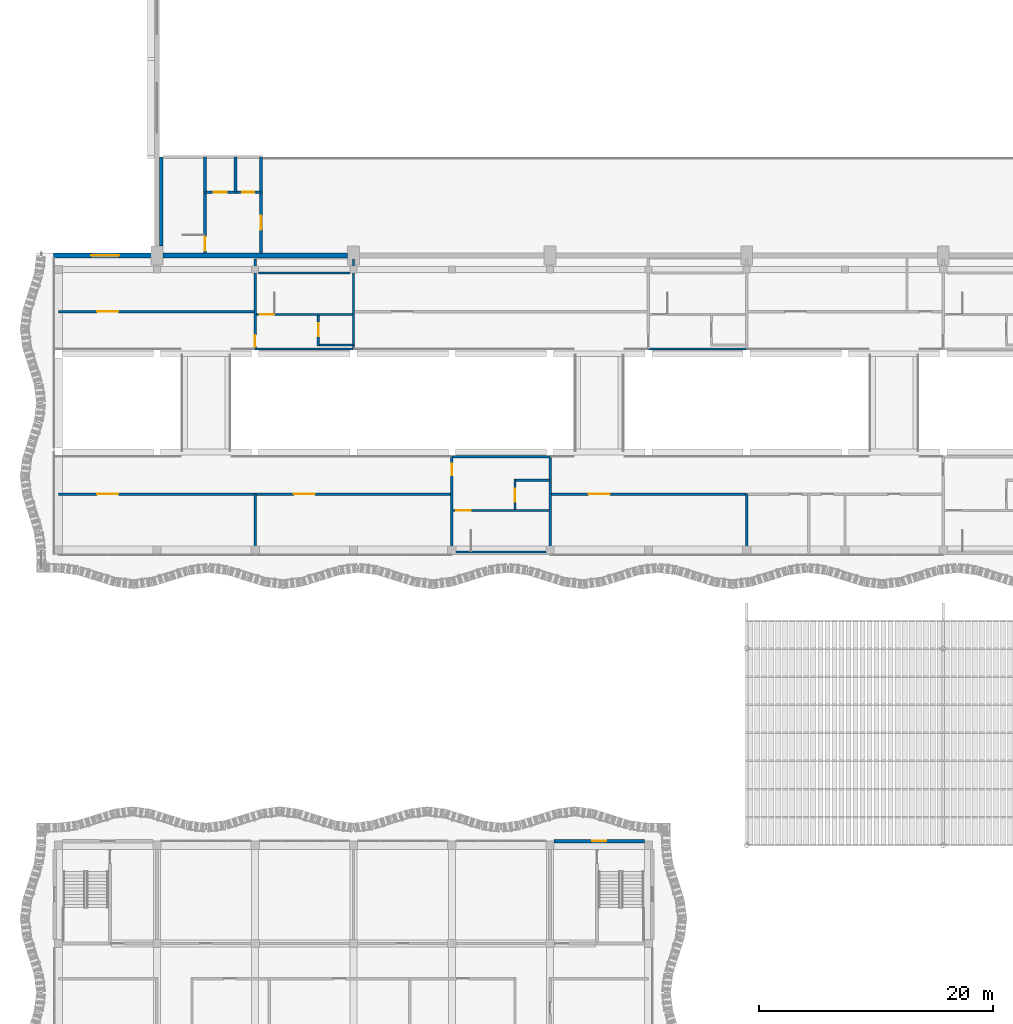
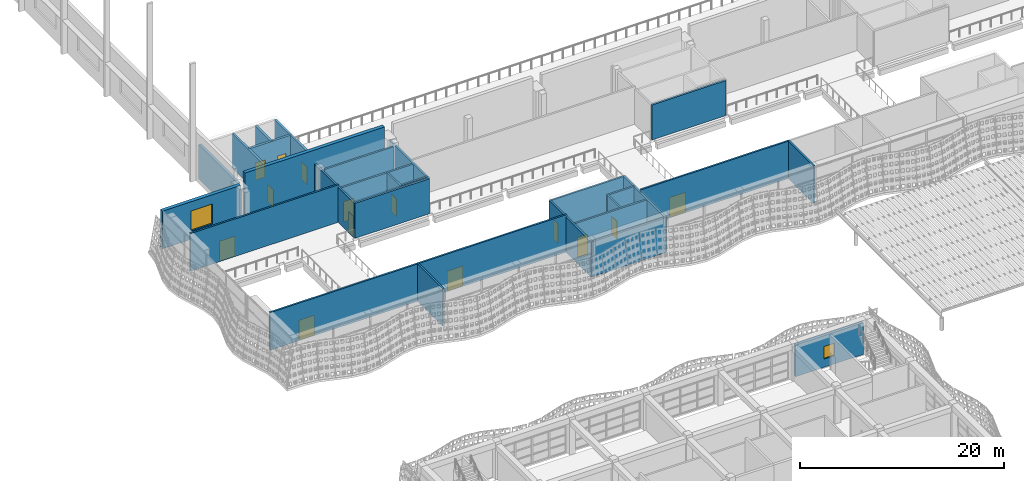
# One storey, part 81 of 162: 29 walls, 14 doors, 2 windows, 16 openings.
"""IFC4 building model written with IfcOpenShell, lengths in metres."""

import ifcopenshell
import ifcopenshell.guid

model = None  # the IFC model being written
_history = None  # IfcOwnerHistory: only IFC2X3 demands one
_inside = {}  # id of a spatial element -> (the spatial element, [elements in it])
_under = {}  # id of a project, library or spatial element -> (it, [spatial elements below it])
_declared = {}  # id of a project -> (the project, [libraries it declares])
_typed = {}  # id of a type object -> (the type object, [elements of that type])
_made_of = {}  # id of a material, layer set ... -> (it, [elements and type objects made of it])


def new_model(schema):
    """Start an empty IFC model of exactly this schema.

    Asked for "IFC4X3", IfcOpenShell would pick the latest addendum, in which some entities
    have other attributes; the version numbers below select the first issue.
    IFC2X3 requires an IfcOwnerHistory on every rooted entity: one is made here for all.
    """
    global model, _history
    if schema == "IFC4X3":
        model = ifcopenshell.file(schema_version=(4, 3, 0, 0))
    else:
        model = ifcopenshell.file(schema=schema)
    _inside.clear()
    _under.clear()
    _declared.clear()
    _typed.clear()
    _made_of.clear()
    _history = None
    if model.schema == "IFC2X3":
        org = make("IfcOrganization", Name="unknown")
        user = make(
            "IfcPersonAndOrganization",
            ThePerson=make("IfcPerson", FamilyName="unknown"),
            TheOrganization=org,
        )
        app = make(
            "IfcApplication",
            ApplicationDeveloper=org,
            Version="unknown",
            ApplicationFullName="unknown",
            ApplicationIdentifier="unknown",
        )
        _history = make(
            "IfcOwnerHistory",
            OwningUser=user,
            OwningApplication=app,
            ChangeAction="ADDED",
            CreationDate=0,
        )
    return model


def make(cls, **values):
    """One entity of the class cls with the attributes given. An attribute that is None is left unset."""
    return model.create_entity(
        cls, **{name: value for name, value in values.items() if value is not None}
    )


def rooted(cls, **values):
    """An entity with a GlobalId (a new one), such as an element, a storey or a relation."""
    return make(cls, GlobalId=ifcopenshell.guid.new(), OwnerHistory=_history, **values)


def si_unit(unit_type, name, prefix=None):
    """IfcSIUnit, for example si_unit("LENGTHUNIT", "METRE", prefix="MILLI")."""
    return make("IfcSIUnit", UnitType=unit_type, Prefix=prefix, Name=name)


def assignment(units):
    """IfcUnitAssignment: the units of a project."""
    return None if units is None else make("IfcUnitAssignment", Units=units)


def point(xyz):
    """IfcCartesianPoint."""
    return None if xyz is None else make("IfcCartesianPoint", Coordinates=xyz)


def direction(xyz):
    """IfcDirection."""
    return None if xyz is None else make("IfcDirection", DirectionRatios=xyz)


def frame(location, z_axis=None, x_axis=None):
    """IfcAxis2Placement3D, a coordinate frame: its origin and axes. An axis left out is left unset."""
    return make(
        "IfcAxis2Placement3D",
        Location=point(location),
        Axis=direction(z_axis),
        RefDirection=direction(x_axis),
    )


def frame_2d(location, x_axis=None):
    """IfcAxis2Placement2D, a coordinate frame in the plane: its origin and x axis."""
    return make(
        "IfcAxis2Placement2D", Location=point(location), RefDirection=direction(x_axis)
    )


def origin():
    """The frame at (0, 0, 0) with its axes left unset."""
    return frame((0.0, 0.0, 0.0))


def place(relative_to, where):
    """IfcLocalPlacement: puts the frame where relative to a parent placement (None: the world)."""
    return make(
        "IfcLocalPlacement", PlacementRelTo=relative_to, RelativePlacement=where
    )


def context(
    kind, dimensions, precision=None, world=None, true_north=None, identifier=None
):
    """IfcGeometricRepresentationContext, for example the 3D "Model" context."""
    return make(
        "IfcGeometricRepresentationContext",
        ContextIdentifier=identifier,
        ContextType=kind,
        CoordinateSpaceDimension=dimensions,
        Precision=precision,
        WorldCoordinateSystem=world,
        TrueNorth=true_north,
    )


def subcontext(parent, identifier, kind, view, scale=None):
    """IfcGeometricRepresentationSubContext, for example "Body" below "Model"."""
    return make(
        "IfcGeometricRepresentationSubContext",
        ContextIdentifier=identifier,
        ContextType=kind,
        ParentContext=parent,
        TargetScale=scale,
        TargetView=view,
    )


def project(units=None, contexts=None):
    """IfcProject with its units and contexts."""
    return rooted(
        "IfcProject",
        Name="project",
        RepresentationContexts=contexts,
        UnitsInContext=assignment(units),
    )


def spatial(cls, under=None, at=None, **own):
    """A site, building, storey or space (cls), placed at a placement, below another one or the project."""
    s = rooted(cls, ObjectPlacement=at, **own)
    if under is not None:
        _under.setdefault(under.id(), (under, []))[1].append(s)
    return s


def profile(cls, at=None, kind="AREA", **sizes):
    """A parametric profile (cls). Its sizes go by their IFC names, for example OverallWidth=200.0."""
    return make(cls, ProfileType=kind, Position=at, **sizes)


def rectangle(**sizes):
    """IfcRectangleProfileDef."""
    return profile("IfcRectangleProfileDef", **sizes)


def extrude(swept, where, along, depth):
    """IfcExtrudedAreaSolid: the profile swept, set in the frame where, extruded along a direction by depth."""
    return make(
        "IfcExtrudedAreaSolid",
        SweptArea=swept,
        Position=where,
        ExtrudedDirection=direction(along),
        Depth=depth,
    )


def shape(context_of_items, identifier, shape_type, items):
    """IfcShapeRepresentation: the items that make up one representation, for example the "Body"."""
    return make(
        "IfcShapeRepresentation",
        ContextOfItems=context_of_items,
        RepresentationIdentifier=identifier,
        RepresentationType=shape_type,
        Items=items,
    )


def material(Name=None, Category=None):
    """IfcMaterial."""
    return make("IfcMaterial", Name=Name, Category=Category)


def layer(
    of_material, thickness, ventilated=None, Name=None, Category=None, Priority=None
):
    """IfcMaterialLayer: one layer of a wall or slab, of a material (None: an air gap)."""
    return make(
        "IfcMaterialLayer",
        Material=of_material,
        LayerThickness=thickness,
        IsVentilated=ventilated,
        Name=Name,
        Category=Category,
        Priority=Priority,
    )


def layer_set(layers, Name=None):
    """IfcMaterialLayerSet."""
    return make("IfcMaterialLayerSet", MaterialLayers=layers, LayerSetName=Name)


def made_of(thing, what):
    """Note that an element or type object is made of a material, layer set ...; save() writes the relation."""
    if what is not None:
        _made_of.setdefault(what.id(), (what, []))[1].append(thing)
    return thing


def type_object(cls, material=None, **own):
    """A type object (cls), such as IfcWallType, which elements share."""
    return made_of(rooted(cls, **own), material)


def element(
    cls,
    number,
    at=None,
    inside=None,
    cuts=None,
    type_object=None,
    material=None,
    context=None,
    identifier="Body",
    shape_type=None,
    held_by="IfcProductDefinitionShape",
    body=None,
    shapes=None,
    **own,
):
    """One element of the class cls, such as IfcWall. Its Tag is "e" and its number.

    at: its placement. inside: the storey or other place that contains it. cuts: it is an
    opening in that element (IfcRelVoidsElement). A single representation is given by context,
    identifier, shape_type and body (its items); several are given by shapes. held_by: the class
    of the entity that holds the representations. save() writes the other relations.
    """
    e = rooted(cls, Tag="e%d" % number, ObjectPlacement=at, **own)
    if body is not None:
        shapes = [shape(context, identifier, shape_type, body)]
    if shapes is not None:
        e.Representation = make(held_by, Representations=shapes)
    if inside is not None:
        _inside.setdefault(inside.id(), (inside, []))[1].append(e)
    if cuts is not None:
        rooted(
            "IfcRelVoidsElement", RelatingBuildingElement=cuts, RelatedOpeningElement=e
        )
    if type_object is not None:
        _typed.setdefault(type_object.id(), (type_object, []))[1].append(e)
    return made_of(e, material)


def fill(opening, filler):
    """IfcRelFillsElement: the door or window that sits in an opening."""
    return rooted(
        "IfcRelFillsElement",
        RelatingOpeningElement=opening,
        RelatedBuildingElement=filler,
    )


def aggregate(whole, parts):
    """IfcRelAggregates: a whole, such as a stair, and the parts it consists of."""
    return rooted("IfcRelAggregates", RelatingObject=whole, RelatedObjects=parts)


def save(model, path):
    """Write the relations noted so far, then the file.

    IfcRelAggregates (storeys below a building ...), IfcRelContainedInSpatialStructure (elements
    in a storey), IfcRelDefinesByType, IfcRelAssociatesMaterial and IfcRelDeclares: one each for
    every whole, place, type object, material and project.
    """
    for whole, parts in _under.values():
        aggregate(whole, parts)
    for where, things in _inside.values():
        rooted(
            "IfcRelContainedInSpatialStructure",
            RelatedElements=things,
            RelatingStructure=where,
        )
    for kind, things in _typed.values():
        rooted("IfcRelDefinesByType", RelatedObjects=things, RelatingType=kind)
    for what, things in _made_of.values():
        rooted("IfcRelAssociatesMaterial", RelatedObjects=things, RelatingMaterial=what)
    for by, libraries in _declared.values():
        rooted("IfcRelDeclares", RelatingContext=by, RelatedDefinitions=libraries)
    model.write(path)


model = new_model("IFC4")

# Units and contexts
model_context = context("Model", 3, precision=1e-05, world=origin(), true_north=direction((0.0, 1.0)))
body_context = subcontext(model_context, "Body", "Model", "MODEL_VIEW")
ifc_project = project(units=[si_unit("LENGTHUNIT", "METRE"), si_unit("AREAUNIT", "SQUARE_METRE"), si_unit("VOLUMEUNIT", "CUBIC_METRE"), si_unit("PLANEANGLEUNIT", "RADIAN"), si_unit("MASSUNIT", "GRAM", prefix="KILO")], contexts=[model_context])

# Site, building, storey
site_placement = place(None, origin())
site = spatial("IfcSite", under=ifc_project, at=site_placement, CompositionType="ELEMENT")
building_placement = place(site_placement, origin())
building = spatial("IfcBuilding", under=site, at=building_placement, Name="Rain Tree Exposition and Congress Centre", CompositionType="ELEMENT")
storey_placement = place(building_placement, frame((0.0, 0.0, 6.0)))
storey = spatial("IfcBuildingStorey", under=building, at=storey_placement, Name="L01", CompositionType="ELEMENT", Elevation=6.0)

# Walls
ifc_material_1 = material(Name="Hollow blockwork partition", Category="masonry")
ifc_layer_1 = layer(ifc_material_1, 0.199951171875)
ifc_layer_set_1 = layer_set([ifc_layer_1], Name="Hollow blockwork partition")
wall_type_1 = type_object("IfcWallType", Name="Concourse blockwork partition 200", PredefinedType="PARTITIONING", material=ifc_layer_set_1)
for number, where, z_axis, x_axis, name in (
    (1, (16.800048828125, 75.39990234375, 0.0), (0.0, 0.0, 1.0), (0.0, 1.0, 0.0), "Concourse partition L01"),
    (2, (58.800048828125, 75.39990234375, 0.0), (0.0, 0.0, 1.0), (0.0, 1.0, 0.0), "Concourse partition L01"),
):
    element("IfcWall", number, at=place(storey_placement, frame(where, z_axis=z_axis, x_axis=x_axis)), inside=storey, type_object=wall_type_1, Name=name, PredefinedType="PARTITIONING", context=body_context, shape_type="SweptSolid", body=[
        extrude(rectangle(XDim=5.0, YDim=0.199951171875, at=frame_2d((2.5, 0.0))), origin(), (0.0, 0.0, 1.0), 4.5),
    ])

# Wall, opening, door
wall_1_placement = place(storey_placement, frame((0.0, 80.39990234375, 0.0), z_axis=(0.0, 0.0, 1.0), x_axis=(1.0, 0.0, 0.0)))
wall_1 = element("IfcWall", 3, at=wall_1_placement, inside=storey, type_object=wall_type_1, Name="Concourse room front L01", PredefinedType="PARTITIONING", context=body_context, shape_type="SweptSolid", body=[
    extrude(rectangle(XDim=16.800048828125, YDim=0.199951171875, at=frame_2d((8.39990234375, 0.0))), origin(), (0.0, 0.0, 1.0), 4.5),
])
opening_1_placement = place(wall_1_placement, frame((3.300048828125, 0.0, 0.0)))
opening_1 = element("IfcOpeningElement", 4, at=opening_1_placement, cuts=wall_1, Name="Opening DC044", PredefinedType="OPENING", context=body_context, shape_type="SweptSolid", body=[
    extrude(rectangle(XDim=1.800048828125, YDim=2.39990234375, at=frame_2d((0.89990234375, 1.199951171875))), frame((0.0, 0.10009765625, 0.0), z_axis=(0.0, -1.0, 0.0), x_axis=(1.0, 0.0, 0.0)), (0.0, 0.0, 1.0), 0.199951171875),
])
ifc_material_2 = material(Name="Aluminium framed glazed door", Category="aluminium")
door_type_1 = type_object("IfcDoorType", Name="Concourse double door 1800x2400", OperationType="DOUBLE_DOOR_DOUBLE_SWING", PredefinedType="DOOR", material=ifc_material_2)
door_1_placement = place(opening_1_placement, origin())
door_1 = element("IfcDoor", 5, at=door_1_placement, inside=storey, type_object=door_type_1, Name="Room door DC044", OperationType="DOUBLE_DOOR_DOUBLE_SWING", OverallHeight=2.39990234375, OverallWidth=1.800048828125, PredefinedType="DOOR", context=body_context, shape_type="SweptSolid", body=[
    extrude(rectangle(XDim=1.800048828125, YDim=2.39990234375, at=frame_2d((0.89990234375, 1.199951171875))), frame((0.0, 0.02490234375, 0.0), z_axis=(0.0, -1.0, 0.0), x_axis=(1.0, 0.0, 0.0)), (0.0, 0.0, 1.0), 0.050048828125),
])
fill(opening_1, door_1)

wall_2_placement = place(storey_placement, frame((16.800048828125, 80.39990234375, 0.0), z_axis=(0.0, 0.0, 1.0), x_axis=(1.0, 0.0, 0.0)))
wall_2 = element("IfcWall", 6, at=wall_2_placement, inside=storey, type_object=wall_type_1, Name="Concourse room front L01", PredefinedType="PARTITIONING", context=body_context, shape_type="SweptSolid", body=[
    extrude(rectangle(XDim=16.800048828125, YDim=0.199951171875, at=frame_2d((8.39990234375, 0.0))), origin(), (0.0, 0.0, 1.0), 4.5),
])
opening_2_placement = place(wall_2_placement, frame((3.300048828125, 0.0, 0.0)))
opening_2 = element("IfcOpeningElement", 7, at=opening_2_placement, cuts=wall_2, Name="Opening DC045", PredefinedType="OPENING", context=body_context, shape_type="SweptSolid", body=[
    extrude(rectangle(XDim=1.800048828125, YDim=2.39990234375, at=frame_2d((0.89990234375, 1.199951171875))), frame((0.0, 0.10009765625, 0.0), z_axis=(0.0, -1.0, 0.0), x_axis=(1.0, 0.0, 0.0)), (0.0, 0.0, 1.0), 0.199951171875),
])
door_2_placement = place(opening_2_placement, origin())
door_2 = element("IfcDoor", 8, at=door_2_placement, inside=storey, type_object=door_type_1, Name="Room door DC045", OperationType="DOUBLE_DOOR_DOUBLE_SWING", OverallHeight=2.39990234375, OverallWidth=1.800048828125, PredefinedType="DOOR", context=body_context, shape_type="SweptSolid", body=[
    extrude(rectangle(XDim=1.800048828125, YDim=2.39990234375, at=frame_2d((0.89990234375, 1.199951171875))), frame((0.0, 0.02490234375, 0.0), z_axis=(0.0, -1.0, 0.0), x_axis=(1.0, 0.0, 0.0)), (0.0, 0.0, 1.0), 0.050048828125),
])
fill(opening_2, door_2)

wall_3_placement = place(storey_placement, frame((42.0, 80.39990234375, 0.0), z_axis=(0.0, 0.0, 1.0), x_axis=(1.0, 0.0, 0.0)))
wall_3 = element("IfcWall", 9, at=wall_3_placement, inside=storey, type_object=wall_type_1, Name="Concourse room front L01", PredefinedType="PARTITIONING", context=body_context, shape_type="SweptSolid", body=[
    extrude(rectangle(XDim=16.800048828125, YDim=0.199951171875, at=frame_2d((8.39990234375, 0.0))), origin(), (0.0, 0.0, 1.0), 4.5),
])
opening_3_placement = place(wall_3_placement, frame((3.300048828125, 0.0, 0.0)))
opening_3 = element("IfcOpeningElement", 10, at=opening_3_placement, cuts=wall_3, Name="Opening DC046", PredefinedType="OPENING", context=body_context, shape_type="SweptSolid", body=[
    extrude(rectangle(XDim=1.800048828125, YDim=2.39990234375, at=frame_2d((0.89990234375, 1.199951171875))), frame((0.0, 0.10009765625, 0.0), z_axis=(0.0, -1.0, 0.0), x_axis=(1.0, 0.0, 0.0)), (0.0, 0.0, 1.0), 0.199951171875),
])
door_3_placement = place(opening_3_placement, origin())
door_3 = element("IfcDoor", 11, at=door_3_placement, inside=storey, type_object=door_type_1, Name="Room door DC046", OperationType="DOUBLE_DOOR_DOUBLE_SWING", OverallHeight=2.39990234375, OverallWidth=1.800048828125, PredefinedType="DOOR", context=body_context, shape_type="SweptSolid", body=[
    extrude(rectangle(XDim=1.800048828125, YDim=2.39990234375, at=frame_2d((0.89990234375, 1.199951171875))), frame((0.0, 0.02490234375, 0.0), z_axis=(0.0, -1.0, 0.0), x_axis=(1.0, 0.0, 0.0)), (0.0, 0.0, 1.0), 0.050048828125),
])
fill(opening_3, door_3)

wall_4_placement = place(storey_placement, frame((0.0, 96.0, 0.0), z_axis=(0.0, 0.0, 1.0), x_axis=(1.0, 0.0, 0.0)))
wall_4 = element("IfcWall", 12, at=wall_4_placement, inside=storey, type_object=wall_type_1, Name="Concourse room front L01", PredefinedType="PARTITIONING", context=body_context, shape_type="SweptSolid", body=[
    extrude(rectangle(XDim=16.800048828125, YDim=0.199951171875, at=frame_2d((8.39990234375, 0.0))), origin(), (0.0, 0.0, 1.0), 4.5),
])
opening_4_placement = place(wall_4_placement, frame((3.300048828125, 0.0, 0.0)))
opening_4 = element("IfcOpeningElement", 13, at=opening_4_placement, cuts=wall_4, Name="Opening DC081", PredefinedType="OPENING", context=body_context, shape_type="SweptSolid", body=[
    extrude(rectangle(XDim=1.800048828125, YDim=2.39990234375, at=frame_2d((0.89990234375, 1.199951171875))), frame((0.0, 0.10009765625, 0.0), z_axis=(0.0, -1.0, 0.0), x_axis=(1.0, 0.0, 0.0)), (0.0, 0.0, 1.0), 0.199951171875),
])
door_4_placement = place(opening_4_placement, origin())
door_4 = element("IfcDoor", 14, at=door_4_placement, inside=storey, type_object=door_type_1, Name="Room door DC081", OperationType="DOUBLE_DOOR_DOUBLE_SWING", OverallHeight=2.39990234375, OverallWidth=1.800048828125, PredefinedType="DOOR", context=body_context, shape_type="SweptSolid", body=[
    extrude(rectangle(XDim=1.800048828125, YDim=2.39990234375, at=frame_2d((0.89990234375, 1.199951171875))), frame((0.0, 0.02490234375, 0.0), z_axis=(0.0, -1.0, 0.0), x_axis=(1.0, 0.0, 0.0)), (0.0, 0.0, 1.0), 0.050048828125),
])
fill(opening_4, door_4)

# Wall, opening, window
ifc_material_3 = material(Name="Concrete C40/50", Category="concrete")
ifc_layer_2 = layer(ifc_material_3, 0.39990234375)
ifc_layer_set_2 = layer_set([ifc_layer_2], Name="Concrete C40/50")
wall_type_2 = type_object("IfcWallType", Name="Concourse north wall 400", PredefinedType="SOLIDWALL", material=ifc_layer_set_2)
wall_5_placement = place(storey_placement, frame((-0.449951171875, 100.800048828125, 0.0), z_axis=(0.0, 0.0, 1.0), x_axis=(1.0, 0.0, 0.0)))
wall_5 = element("IfcWall", 15, at=wall_5_placement, inside=storey, type_object=wall_type_2, Name="Concourse north wall", PredefinedType="SOLIDWALL", context=body_context, shape_type="SweptSolid", body=[
    extrude(rectangle(XDim=8.849853515625, YDim=0.39990234375, at=frame_2d((4.4248046875, 0.0))), origin(), (0.0, 0.0, 1.0), 4.5),
])
opening_5_placement = place(wall_5_placement, frame((3.22509765625, 0.0, 1.0)))
opening_5 = element("IfcOpeningElement", 16, at=opening_5_placement, cuts=wall_5, Name="Opening WN0000", PredefinedType="OPENING", context=body_context, shape_type="SweptSolid", body=[
    extrude(rectangle(XDim=2.39990234375, YDim=2.39990234375, at=frame_2d((1.199951171875, 1.199951171875))), frame((0.0, 0.199951171875, 0.0), z_axis=(0.0, -1.0, 0.0), x_axis=(1.0, 0.0, 0.0)), (0.0, 0.0, 1.0), 0.39990234375),
])
ifc_material_4 = material(Name="Aluminium framed glazing", Category="aluminium")
window_type_1 = type_object("IfcWindowType", Name="Concourse fixed window 2400x2400", PartitioningType="SINGLE_PANEL", PredefinedType="WINDOW", material=ifc_material_4)
window_1_placement = place(opening_5_placement, origin())
window_1 = element("IfcWindow", 17, at=window_1_placement, inside=storey, type_object=window_type_1, Name="North wall window", OverallHeight=2.39990234375, OverallWidth=2.39990234375, PartitioningType="SINGLE_PANEL", PredefinedType="WINDOW", context=body_context, shape_type="SweptSolid", body=[
    extrude(rectangle(XDim=2.39990234375, YDim=2.39990234375, at=frame_2d((1.199951171875, 1.199951171875))), frame((0.0, 0.030029296875, 0.0), z_axis=(0.0, -1.0, 0.0), x_axis=(1.0, 0.0, 0.0)), (0.0, 0.0, 1.0), 0.06005859375),
])
fill(opening_5, window_1)

# Wall, opening, door
ifc_material_5 = material(Name="Concrete C40/50", Category="concrete")
ifc_layer_3 = layer(ifc_material_5, 0.199951171875)
ifc_layer_set_3 = layer_set([ifc_layer_3], Name="Concrete C40/50")
wall_type_3 = type_object("IfcWallType", Name="Concourse shaft and core wall 200", PredefinedType="SOLIDWALL", material=ifc_layer_set_3)
wall_6_placement = place(storey_placement, frame((33.60009765625, 75.39990234375, 0.0), z_axis=(0.0, 0.0, 1.0), x_axis=(0.0, 1.0, 0.0)))
wall_6 = element("IfcWall", 18, at=wall_6_placement, inside=storey, type_object=wall_type_3, Name="Concourse core wall L01", PredefinedType="SOLIDWALL", context=body_context, shape_type="SweptSolid", body=[
    extrude(rectangle(XDim=8.2001953125, YDim=0.199951171875, at=frame_2d((4.10009765625, 0.0))), origin(), (0.0, 0.0, 1.0), 4.199951171875),
])
opening_6_placement = place(wall_6_placement, frame((6.60009765625, 0.0, 0.0)))
opening_6 = element("IfcOpeningElement", 19, at=opening_6_placement, cuts=wall_6, Name="Opening DC038", PredefinedType="OPENING", context=body_context, shape_type="SweptSolid", body=[
    extrude(rectangle(XDim=1.0, YDim=2.39990234375, at=frame_2d((0.5, 1.199951171875))), frame((0.0, 0.10009765625, 0.0), z_axis=(0.0, -1.0, 0.0), x_axis=(1.0, 0.0, 0.0)), (0.0, 0.0, 1.0), 0.199951171875),
])
ifc_material_6 = material(Name="Aluminium framed glazed door", Category="aluminium")
door_type_2 = type_object("IfcDoorType", Name="Concourse single door 1000x2400", OperationType="NOTDEFINED", PredefinedType="DOOR", material=ifc_material_6)
door_5_placement = place(opening_6_placement, origin())
door_5 = element("IfcDoor", 20, at=door_5_placement, inside=storey, type_object=door_type_2, Name="Stair lobby door DC038", OperationType="SINGLE_SWING_RIGHT", OverallHeight=2.39990234375, OverallWidth=1.0, PredefinedType="DOOR", context=body_context, shape_type="SweptSolid", body=[
    extrude(rectangle(XDim=1.0, YDim=2.39990234375, at=frame_2d((0.5, 1.199951171875))), frame((0.0, 0.02490234375, 0.0), z_axis=(0.0, -1.0, 0.0), x_axis=(1.0, 0.0, 0.0)), (0.0, 0.0, 1.0), 0.050048828125),
])
fill(opening_6, door_5)

# Walls
wall_7_placement = place(storey_placement, frame((42.0, 75.39990234375, 0.0), z_axis=(0.0, 0.0, 1.0), x_axis=(0.0, 1.0, 0.0)))
element("IfcWall", 21, at=wall_7_placement, inside=storey, type_object=wall_type_3, Name="Concourse core wall L01", PredefinedType="SOLIDWALL", context=body_context, shape_type="SweptSolid", body=[
    extrude(rectangle(XDim=8.2001953125, YDim=0.199951171875, at=frame_2d((4.10009765625, 0.0))), origin(), (0.0, 0.0, 1.0), 4.199951171875),
])
wall_8_placement = place(storey_placement, frame((33.60009765625, 83.60009765625, 0.0), z_axis=(0.0, 0.0, 1.0), x_axis=(1.0, 0.0, 0.0)))
element("IfcWall", 22, at=wall_8_placement, inside=storey, type_object=wall_type_3, Name="Concourse lobby front L01", PredefinedType="SOLIDWALL", context=body_context, shape_type="SweptSolid", body=[
    extrude(rectangle(XDim=8.39990234375, YDim=0.199951171875, at=frame_2d((4.199951171875, 0.0))), origin(), (0.0, 0.0, 1.0), 4.199951171875),
])

# Wall, opening, door
wall_9_placement = place(storey_placement, frame((16.800048828125, 100.5, 0.0), z_axis=(0.0, 0.0, 1.0), x_axis=(0.0, -1.0, 0.0)))
wall_9 = element("IfcWall", 23, at=wall_9_placement, inside=storey, type_object=wall_type_3, Name="Concourse core wall L01", PredefinedType="SOLIDWALL", context=body_context, shape_type="SweptSolid", body=[
    extrude(rectangle(XDim=7.699951171875, YDim=0.199951171875, at=frame_2d((3.85009765625, 0.0))), origin(), (0.0, 0.0, 1.0), 4.199951171875),
])
opening_7_placement = place(wall_9_placement, frame((6.5, 0.0, 0.0)))
opening_7 = element("IfcOpeningElement", 24, at=opening_7_placement, cuts=wall_9, Name="Opening DC075", PredefinedType="OPENING", context=body_context, shape_type="SweptSolid", body=[
    extrude(rectangle(XDim=1.0, YDim=2.39990234375, at=frame_2d((0.5, 1.199951171875))), frame((0.0, 0.10009765625, 0.0), z_axis=(0.0, -1.0, 0.0), x_axis=(1.0, 0.0, 0.0)), (0.0, 0.0, 1.0), 0.199951171875),
])
door_6_placement = place(opening_7_placement, origin())
door_6 = element("IfcDoor", 25, at=door_6_placement, inside=storey, type_object=door_type_2, Name="Stair lobby door DC075", OperationType="SINGLE_SWING_RIGHT", OverallHeight=2.39990234375, OverallWidth=1.0, PredefinedType="DOOR", context=body_context, shape_type="SweptSolid", body=[
    extrude(rectangle(XDim=1.0, YDim=2.39990234375, at=frame_2d((0.5, 1.199951171875))), frame((0.0, 0.02490234375, 0.0), z_axis=(0.0, -1.0, 0.0), x_axis=(1.0, 0.0, 0.0)), (0.0, 0.0, 1.0), 0.050048828125),
])
fill(opening_7, door_6)

# Walls
wall_10_placement = place(storey_placement, frame((25.199951171875, 100.5, 0.0), z_axis=(0.0, 0.0, 1.0), x_axis=(0.0, -1.0, 0.0)))
element("IfcWall", 26, at=wall_10_placement, inside=storey, type_object=wall_type_3, Name="Concourse core wall L01", PredefinedType="SOLIDWALL", context=body_context, shape_type="SweptSolid", body=[
    extrude(rectangle(XDim=7.699951171875, YDim=0.199951171875, at=frame_2d((3.85009765625, 0.0))), origin(), (0.0, 0.0, 1.0), 4.199951171875),
])
wall_11_placement = place(storey_placement, frame((16.800048828125, 92.800048828125, 0.0), z_axis=(0.0, 0.0, 1.0), x_axis=(1.0, 0.0, 0.0)))
element("IfcWall", 27, at=wall_11_placement, inside=storey, type_object=wall_type_3, Name="Concourse lobby front L01", PredefinedType="SOLIDWALL", context=body_context, shape_type="SweptSolid", body=[
    extrude(rectangle(XDim=8.39990234375, YDim=0.199951171875, at=frame_2d((4.199951171875, 0.0))), origin(), (0.0, 0.0, 1.0), 4.199951171875),
])
wall_12_placement = place(storey_placement, frame((50.39990234375, 92.800048828125, 0.0), z_axis=(0.0, 0.0, 1.0), x_axis=(1.0, 0.0, 0.0)))
element("IfcWall", 28, at=wall_12_placement, inside=storey, type_object=wall_type_3, Name="Concourse lobby front L01", PredefinedType="SOLIDWALL", context=body_context, shape_type="SweptSolid", body=[
    extrude(rectangle(XDim=8.400146484375, YDim=0.199951171875, at=frame_2d((4.2001953125, 0.0))), origin(), (0.0, 0.0, 1.0), 4.199951171875),
])
wall_13_placement = place(storey_placement, frame((33.60009765625, 75.449951171875, 0.0), z_axis=(0.0, 0.0, 1.0), x_axis=(1.0, 0.0, 0.0)))
element("IfcWall", 29, at=wall_13_placement, inside=storey, type_object=wall_type_3, Name="Concourse stair wall L01", PredefinedType="SOLIDWALL", context=body_context, shape_type="SweptSolid", body=[
    extrude(rectangle(XDim=8.39990234375, YDim=0.199951171875, at=frame_2d((4.199951171875, 0.0))), origin(), (0.0, 0.0, 1.0), 4.199951171875),
])

# Wall, opening, door
wall_14_placement = place(storey_placement, frame((33.60009765625, 79.0, 0.0), z_axis=(0.0, 0.0, 1.0), x_axis=(1.0, 0.0, 0.0)))
wall_14 = element("IfcWall", 30, at=wall_14_placement, inside=storey, type_object=wall_type_3, Name="Concourse stair wall L01", PredefinedType="SOLIDWALL", context=body_context, shape_type="SweptSolid", body=[
    extrude(rectangle(XDim=8.39990234375, YDim=0.199951171875, at=frame_2d((4.199951171875, 0.0))), origin(), (0.0, 0.0, 1.0), 4.199951171875),
])
opening_8_placement = place(wall_14_placement, frame((0.39990234375, 0.0, 0.0)))
opening_8 = element("IfcOpeningElement", 31, at=opening_8_placement, cuts=wall_14, Name="Opening DC094", PredefinedType="OPENING", context=body_context, shape_type="SweptSolid", body=[
    extrude(rectangle(XDim=1.199951171875, YDim=2.39990234375, at=frame_2d((0.60009765625, 1.199951171875))), frame((0.0, 0.10009765625, 0.0), z_axis=(0.0, -1.0, 0.0), x_axis=(1.0, 0.0, 0.0)), (0.0, 0.0, 1.0), 0.199951171875),
])
ifc_material_7 = material(Name="Aluminium framed glazed door", Category="aluminium")
door_type_3 = type_object("IfcDoorType", Name="Concourse single door 1200x2400", OperationType="NOTDEFINED", PredefinedType="DOOR", material=ifc_material_7)
door_7_placement = place(opening_8_placement, origin())
door_7 = element("IfcDoor", 32, at=door_7_placement, inside=storey, type_object=door_type_3, Name="Stair door DC094", OperationType="SINGLE_SWING_LEFT", OverallHeight=2.39990234375, OverallWidth=1.199951171875, PredefinedType="DOOR", context=body_context, shape_type="SweptSolid", body=[
    extrude(rectangle(XDim=1.199951171875, YDim=2.39990234375, at=frame_2d((0.60009765625, 1.199951171875))), frame((0.0, 0.02490234375, 0.0), z_axis=(0.0, -1.0, 0.0), x_axis=(1.0, 0.0, 0.0)), (0.0, 0.0, 1.0), 0.050048828125),
])
fill(opening_8, door_7)

wall_15_placement = place(storey_placement, frame((39.0, 79.10009765625, 0.0), z_axis=(0.0, 0.0, 1.0), x_axis=(0.0, 1.0, 0.0)))
wall_15 = element("IfcWall", 33, at=wall_15_placement, inside=storey, type_object=wall_type_3, Name="Concourse lift shaft wall L01", PredefinedType="SOLIDWALL", context=body_context, shape_type="SweptSolid", body=[
    extrude(rectangle(XDim=2.599853515625, YDim=0.199951171875, at=frame_2d((1.2998046875, 0.0))), origin(), (0.0, 0.0, 1.0), 4.199951171875),
])
opening_9_placement = place(wall_15_placement, frame((0.64990234375, 0.0, 0.0)))
opening_9 = element("IfcOpeningElement", 34, at=opening_9_placement, cuts=wall_15, Name="Opening DC096", PredefinedType="OPENING", context=body_context, shape_type="SweptSolid", body=[
    extrude(rectangle(XDim=1.10009765625, YDim=2.10009765625, at=frame_2d((0.550048828125, 1.050048828125))), frame((0.0, 0.10009765625, 0.0), z_axis=(0.0, -1.0, 0.0), x_axis=(1.0, 0.0, 0.0)), (0.0, 0.0, 1.0), 0.199951171875),
])
ifc_material_8 = material(Name="Stainless steel", Category="steel")
door_type_4 = type_object("IfcDoorType", Name="Lift landing door 1100x2100", OperationType="DOUBLE_DOOR_SLIDING", PredefinedType="DOOR", material=ifc_material_8)
door_8_placement = place(opening_9_placement, origin())
door_8 = element("IfcDoor", 35, at=door_8_placement, inside=storey, type_object=door_type_4, Name="Lift landing door DC096", OperationType="DOUBLE_DOOR_SLIDING", OverallHeight=2.10009765625, OverallWidth=1.10009765625, PredefinedType="DOOR", context=body_context, shape_type="SweptSolid", body=[
    extrude(rectangle(XDim=1.10009765625, YDim=2.10009765625, at=frame_2d((0.550048828125, 1.050048828125))), frame((0.0, 0.02490234375, 0.0), z_axis=(0.0, -1.0, 0.0), x_axis=(1.0, 0.0, 0.0)), (0.0, 0.0, 1.0), 0.050048828125),
])
fill(opening_9, door_8)

# Walls
wall_16_placement = place(storey_placement, frame((38.89990234375, 81.60009765625, 0.0), z_axis=(0.0, 0.0, 1.0), x_axis=(1.0, 0.0, 0.0)))
element("IfcWall", 36, at=wall_16_placement, inside=storey, type_object=wall_type_3, Name="Concourse lift shaft wall L01", PredefinedType="SOLIDWALL", context=body_context, shape_type="SweptSolid", body=[
    extrude(rectangle(XDim=3.10009765625, YDim=0.199951171875, at=frame_2d((1.550048828125, 0.0))), origin(), (0.0, 0.0, 1.0), 4.199951171875),
])
wall_17_placement = place(storey_placement, frame((17.10009765625, 99.300048828125, 0.0), z_axis=(0.0, 0.0, 1.0), x_axis=(1.0, 0.0, 0.0)))
element("IfcWall", 37, at=wall_17_placement, inside=storey, type_object=wall_type_3, Name="Concourse stair wall L01", PredefinedType="SOLIDWALL", context=body_context, shape_type="SweptSolid", body=[
    extrude(rectangle(XDim=7.7998046875, YDim=0.199951171875, at=frame_2d((3.89990234375, 0.0))), origin(), (0.0, 0.0, 1.0), 4.199951171875),
])

# Wall, opening, door
wall_18_placement = place(storey_placement, frame((16.800048828125, 95.75, 0.0), z_axis=(0.0, 0.0, 1.0), x_axis=(1.0, 0.0, 0.0)))
wall_18 = element("IfcWall", 38, at=wall_18_placement, inside=storey, type_object=wall_type_3, Name="Concourse stair wall L01", PredefinedType="SOLIDWALL", context=body_context, shape_type="SweptSolid", body=[
    extrude(rectangle(XDim=8.39990234375, YDim=0.199951171875, at=frame_2d((4.199951171875, 0.0))), origin(), (0.0, 0.0, 1.0), 4.199951171875),
])
opening_10_placement = place(wall_18_placement, frame((0.39990234375, 0.0, 0.0)))
opening_10 = element("IfcOpeningElement", 39, at=opening_10_placement, cuts=wall_18, Name="Opening DC123", PredefinedType="OPENING", context=body_context, shape_type="SweptSolid", body=[
    extrude(rectangle(XDim=1.199951171875, YDim=2.39990234375, at=frame_2d((0.60009765625, 1.199951171875))), frame((0.0, 0.10009765625, 0.0), z_axis=(0.0, -1.0, 0.0), x_axis=(1.0, 0.0, 0.0)), (0.0, 0.0, 1.0), 0.199951171875),
])
door_9_placement = place(opening_10_placement, origin())
door_9 = element("IfcDoor", 40, at=door_9_placement, inside=storey, type_object=door_type_3, Name="Stair door DC123", OperationType="SINGLE_SWING_LEFT", OverallHeight=2.39990234375, OverallWidth=1.199951171875, PredefinedType="DOOR", context=body_context, shape_type="SweptSolid", body=[
    extrude(rectangle(XDim=1.199951171875, YDim=2.39990234375, at=frame_2d((0.60009765625, 1.199951171875))), frame((0.0, 0.02490234375, 0.0), z_axis=(0.0, -1.0, 0.0), x_axis=(1.0, 0.0, 0.0)), (0.0, 0.0, 1.0), 0.050048828125),
])
fill(opening_10, door_9)

wall_19_placement = place(storey_placement, frame((22.199951171875, 93.050048828125, 0.0), z_axis=(0.0, 0.0, 1.0), x_axis=(0.0, 1.0, 0.0)))
wall_19 = element("IfcWall", 41, at=wall_19_placement, inside=storey, type_object=wall_type_3, Name="Concourse lift shaft wall L01", PredefinedType="SOLIDWALL", context=body_context, shape_type="SweptSolid", body=[
    extrude(rectangle(XDim=2.599853515625, YDim=0.199951171875, at=frame_2d((1.2998046875, 0.0))), origin(), (0.0, 0.0, 1.0), 4.199951171875),
])
opening_11_placement = place(wall_19_placement, frame((0.85009765625, 0.0, 0.0)))
opening_11 = element("IfcOpeningElement", 42, at=opening_11_placement, cuts=wall_19, Name="Opening DC125", PredefinedType="OPENING", context=body_context, shape_type="SweptSolid", body=[
    extrude(rectangle(XDim=1.10009765625, YDim=2.10009765625, at=frame_2d((0.550048828125, 1.050048828125))), frame((0.0, 0.10009765625, 0.0), z_axis=(0.0, -1.0, 0.0), x_axis=(1.0, 0.0, 0.0)), (0.0, 0.0, 1.0), 0.199951171875),
])
door_10_placement = place(opening_11_placement, origin())
door_10 = element("IfcDoor", 43, at=door_10_placement, inside=storey, type_object=door_type_4, Name="Lift landing door DC125", OperationType="DOUBLE_DOOR_SLIDING", OverallHeight=2.10009765625, OverallWidth=1.10009765625, PredefinedType="DOOR", context=body_context, shape_type="SweptSolid", body=[
    extrude(rectangle(XDim=1.10009765625, YDim=2.10009765625, at=frame_2d((0.550048828125, 1.050048828125))), frame((0.0, 0.02490234375, 0.0), z_axis=(0.0, -1.0, 0.0), x_axis=(1.0, 0.0, 0.0)), (0.0, 0.0, 1.0), 0.050048828125),
])
fill(opening_11, door_10)

# Walls
wall_20_placement = place(storey_placement, frame((22.10009765625, 93.14990234375, 0.0), z_axis=(0.0, 0.0, 1.0), x_axis=(1.0, 0.0, 0.0)))
element("IfcWall", 44, at=wall_20_placement, inside=storey, type_object=wall_type_3, Name="Concourse lift shaft wall L01", PredefinedType="SOLIDWALL", context=body_context, shape_type="SweptSolid", body=[
    extrude(rectangle(XDim=3.099853515625, YDim=0.199951171875, at=frame_2d((1.5498046875, 0.0))), origin(), (0.0, 0.0, 1.0), 4.199951171875),
])
ifc_material_9 = material(Name="Concrete C40/50", Category="concrete")
ifc_layer_4 = layer(ifc_material_9, 0.300048828125)
ifc_layer_set_4 = layer_set([ifc_layer_4], Name="Concrete C40/50")
wall_type_4 = type_object("IfcWallType", Name="Core gable pier wall 300", PredefinedType="SHEAR", material=ifc_layer_set_4)
wall_21_placement = place(storey_placement, frame((8.75, 101.60009765625, 0.0), z_axis=(0.0, 0.0, 1.0), x_axis=(0.0, 1.0, 0.0)))
element("IfcWall", 45, at=wall_21_placement, inside=storey, type_object=wall_type_4, Name="Gable pier wall 1", PredefinedType="SHEAR", context=body_context, shape_type="SweptSolid", body=[
    extrude(rectangle(XDim=7.599853515625, YDim=0.300048828125, at=frame_2d((3.7998046875, 0.0))), origin(), (0.0, 0.0, 1.0), 4.10009765625),
])

# Wall, opening, door
ifc_material_10 = material(Name="Concrete C40/50", Category="concrete")
ifc_layer_5 = layer(ifc_material_10, 0.25)
ifc_layer_set_5 = layer_set([ifc_layer_5], Name="Concrete C40/50")
wall_type_5 = type_object("IfcWallType", Name="Core wall 250", PredefinedType="SHEAR", material=ifc_layer_set_5)
wall_22_placement = place(storey_placement, frame((12.5, 101.0, 0.0), z_axis=(0.0, 0.0, 1.0), x_axis=(0.0, 1.0, 0.0)))
wall_22 = element("IfcWall", 46, at=wall_22_placement, inside=storey, type_object=wall_type_5, Name="Stair wall 1", PredefinedType="SHEAR", context=body_context, shape_type="SweptSolid", body=[
    extrude(rectangle(XDim=8.199951171875, YDim=0.25, at=frame_2d((4.10009765625, 0.0))), origin(), (0.0, 0.0, 1.0), 4.10009765625),
])
opening_12_placement = place(wall_22_placement, frame((0.199951171875, 0.0, 0.0)))
opening_12 = element("IfcOpeningElement", 47, at=opening_12_placement, cuts=wall_22, Name="Opening DH185", PredefinedType="OPENING", context=body_context, shape_type="SweptSolid", body=[
    extrude(rectangle(XDim=1.199951171875, YDim=2.10009765625, at=frame_2d((0.60009765625, 1.050048828125))), frame((0.0, 0.125, 0.0), z_axis=(0.0, -1.0, 0.0), x_axis=(1.0, 0.0, 0.0)), (0.0, 0.0, 1.0), 0.25),
])
ifc_material_11 = material(Name="Painted steel fire door", Category="steel")
door_type_5 = type_object("IfcDoorType", Name="Stair fire door 1200x2100", OperationType="NOTDEFINED", PredefinedType="DOOR", material=ifc_material_11)
door_11_placement = place(opening_12_placement, origin())
door_11 = element("IfcDoor", 48, at=door_11_placement, inside=storey, type_object=door_type_5, Name="Door DH185", OperationType="SINGLE_SWING_LEFT", OverallHeight=2.10009765625, OverallWidth=1.199951171875, PredefinedType="DOOR", context=body_context, shape_type="SweptSolid", body=[
    extrude(rectangle(XDim=1.199951171875, YDim=2.10009765625, at=frame_2d((0.60009765625, 1.050048828125))), frame((0.0, 0.02490234375, 0.0), z_axis=(0.0, -1.0, 0.0), x_axis=(1.0, 0.0, 0.0)), (0.0, 0.0, 1.0), 0.050048828125),
])
fill(opening_12, door_11)

wall_23_placement = place(storey_placement, frame((17.300048828125, 101.0, 0.0), z_axis=(0.0, 0.0, 1.0), x_axis=(0.0, 1.0, 0.0)))
wall_23 = element("IfcWall", 49, at=wall_23_placement, inside=storey, type_object=wall_type_5, Name="Core east wall 1", PredefinedType="SHEAR", context=body_context, shape_type="SweptSolid", body=[
    extrude(rectangle(XDim=8.199951171875, YDim=0.25, at=frame_2d((4.10009765625, 0.0))), origin(), (0.0, 0.0, 1.0), 4.10009765625),
])
opening_13_placement = place(wall_23_placement, frame((2.0, 0.0, 0.0)))
opening_13 = element("IfcOpeningElement", 50, at=opening_13_placement, cuts=wall_23, Name="Opening DH186", PredefinedType="OPENING", context=body_context, shape_type="SweptSolid", body=[
    extrude(rectangle(XDim=1.199951171875, YDim=2.10009765625, at=frame_2d((0.60009765625, 1.050048828125))), frame((0.0, 0.125, 0.0), z_axis=(0.0, -1.0, 0.0), x_axis=(1.0, 0.0, 0.0)), (0.0, 0.0, 1.0), 0.25),
])
ifc_material_12 = material(Name="Painted steel fire door", Category="steel")
door_type_6 = type_object("IfcDoorType", Name="Lobby fire door 1200x2100", OperationType="NOTDEFINED", PredefinedType="DOOR", material=ifc_material_12)
door_12_placement = place(opening_13_placement, origin())
door_12 = element("IfcDoor", 51, at=door_12_placement, inside=storey, type_object=door_type_6, Name="Door DH186", OperationType="SINGLE_SWING_LEFT", OverallHeight=2.10009765625, OverallWidth=1.199951171875, PredefinedType="DOOR", context=body_context, shape_type="SweptSolid", body=[
    extrude(rectangle(XDim=1.199951171875, YDim=2.10009765625, at=frame_2d((0.60009765625, 1.050048828125))), frame((0.0, 0.02490234375, 0.0), z_axis=(0.0, -1.0, 0.0), x_axis=(1.0, 0.0, 0.0)), (0.0, 0.0, 1.0), 0.050048828125),
])
fill(opening_13, door_12)

# Wall, openings, doors
wall_24_placement = place(storey_placement, frame((12.5, 106.199951171875, 0.0), z_axis=(0.0, 0.0, 1.0), x_axis=(1.0, 0.0, 0.0)))
wall_24 = element("IfcWall", 52, at=wall_24_placement, inside=storey, type_object=wall_type_5, Name="Lift lobby wall 1", PredefinedType="SHEAR", context=body_context, shape_type="SweptSolid", body=[
    extrude(rectangle(XDim=4.800048828125, YDim=0.25, at=frame_2d((2.39990234375, 0.0))), origin(), (0.0, 0.0, 1.0), 4.10009765625),
])
opening_14_placement = place(wall_24_placement, frame((0.75, 0.0, 0.0)))
opening_14 = element("IfcOpeningElement", 53, at=opening_14_placement, cuts=wall_24, Name="Opening DH187", PredefinedType="OPENING", context=body_context, shape_type="SweptSolid", body=[
    extrude(rectangle(XDim=1.10009765625, YDim=2.10009765625, at=frame_2d((0.550048828125, 1.050048828125))), frame((0.0, 0.125, 0.0), z_axis=(0.0, -1.0, 0.0), x_axis=(1.0, 0.0, 0.0)), (0.0, 0.0, 1.0), 0.25),
])
opening_15_placement = place(wall_24_placement, frame((3.199951171875, 0.0, 0.0)))
opening_15 = element("IfcOpeningElement", 54, at=opening_15_placement, cuts=wall_24, Name="Opening DH188", PredefinedType="OPENING", context=body_context, shape_type="SweptSolid", body=[
    extrude(rectangle(XDim=1.0, YDim=2.10009765625, at=frame_2d((0.5, 1.050048828125))), frame((0.0, 0.125, 0.0), z_axis=(0.0, -1.0, 0.0), x_axis=(1.0, 0.0, 0.0)), (0.0, 0.0, 1.0), 0.25),
])
door_13_placement = place(opening_14_placement, origin())
door_13 = element("IfcDoor", 55, at=door_13_placement, inside=storey, type_object=door_type_4, Name="Door DH187", OperationType="DOUBLE_DOOR_SLIDING", OverallHeight=2.10009765625, OverallWidth=1.10009765625, PredefinedType="DOOR", context=body_context, shape_type="SweptSolid", body=[
    extrude(rectangle(XDim=1.10009765625, YDim=2.10009765625, at=frame_2d((0.550048828125, 1.050048828125))), frame((0.0, 0.02490234375, 0.0), z_axis=(0.0, -1.0, 0.0), x_axis=(1.0, 0.0, 0.0)), (0.0, 0.0, 1.0), 0.050048828125),
])
fill(opening_14, door_13)
ifc_material_13 = material(Name="Painted steel door", Category="steel")
door_type_7 = type_object("IfcDoorType", Name="Single leaf door 1000x2100", OperationType="NOTDEFINED", PredefinedType="DOOR", material=ifc_material_13)
door_14_placement = place(opening_15_placement, origin())
door_14 = element("IfcDoor", 56, at=door_14_placement, inside=storey, type_object=door_type_7, Name="Door DH188", OperationType="SINGLE_SWING_RIGHT", OverallHeight=2.10009765625, OverallWidth=1.0, PredefinedType="DOOR", context=body_context, shape_type="SweptSolid", body=[
    extrude(rectangle(XDim=1.0, YDim=2.10009765625, at=frame_2d((0.5, 1.050048828125))), frame((0.0, 0.02490234375, 0.0), z_axis=(0.0, -1.0, 0.0), x_axis=(1.0, 0.0, 0.0)), (0.0, 0.0, 1.0), 0.050048828125),
])
fill(opening_15, door_14)

# Walls
wall_25_placement = place(storey_placement, frame((15.10009765625, 106.199951171875, 0.0), z_axis=(0.0, 0.0, 1.0), x_axis=(0.0, 1.0, 0.0)))
element("IfcWall", 57, at=wall_25_placement, inside=storey, type_object=wall_type_5, Name="Lift shaft wall 1", PredefinedType="SHEAR", context=body_context, shape_type="SweptSolid", body=[
    extrude(rectangle(XDim=3.0, YDim=0.25, at=frame_2d((1.5, 0.0))), origin(), (0.0, 0.0, 1.0), 4.10009765625),
])
ifc_material_14 = material(Name="Precast concrete C50/60", Category="concrete")
ifc_layer_6 = layer(ifc_material_14, 0.39990234375)
ifc_layer_set_6 = layer_set([ifc_layer_6], Name="Precast concrete C50/60")
wall_type_6 = type_object("IfcWallType", Name="Hall precast wall 400", PredefinedType="STANDARD", material=ifc_layer_set_6)
wall_26_placement = place(storey_placement, frame((8.89990234375, 100.800048828125, -0.300048828125), z_axis=(0.0, 0.0, 1.0), x_axis=(1.0, 0.0, 0.0)))
element("IfcWall", 58, at=wall_26_placement, inside=storey, type_object=wall_type_6, Name="Cladding wall S1", PredefinedType="STANDARD", context=body_context, shape_type="SweptSolid", body=[
    extrude(rectangle(XDim=15.800048828125, YDim=0.39990234375, at=frame_2d((7.89990234375, 0.0))), origin(), (0.0, 0.0, 1.0), 6.10009765625),
])

# Wall, opening, window
ifc_material_15 = material(Name="Insulated cavity wall")
ifc_layer_7 = layer(ifc_material_15, 0.300048828125)
ifc_layer_set_7 = layer_set([ifc_layer_7], Name="Insulated cavity wall")
wall_type_7 = type_object("IfcWallType", Name="Wing external wall 300", PredefinedType="SOLIDWALL", material=ifc_layer_set_7)
wall_27_placement = place(storey_placement, frame((42.35009765625, 50.75, 0.0), z_axis=(0.0, 0.0, 1.0), x_axis=(1.0, 0.0, 0.0)))
wall_27 = element("IfcWall", 59, at=wall_27_placement, inside=storey, type_object=wall_type_7, Name="wing/facade/L01/N5", PredefinedType="SOLIDWALL", context=body_context, shape_type="SweptSolid", body=[
    extrude(rectangle(XDim=7.699951171875, YDim=0.300048828125, at=frame_2d((3.85009765625, 0.0))), origin(), (0.0, 0.0, 1.0), 3.800048828125),
])
opening_16_placement = place(wall_27_placement, frame((3.25, 0.0, 1.0)))
opening_16 = element("IfcOpeningElement", 60, at=opening_16_placement, cuts=wall_27, Name="Opening WW204", PredefinedType="OPENING", context=body_context, shape_type="SweptSolid", body=[
    extrude(rectangle(XDim=1.199951171875, YDim=1.5, at=frame_2d((0.60009765625, 0.75))), frame((0.0, 0.14990234375, 0.0), z_axis=(0.0, -1.0, 0.0), x_axis=(1.0, 0.0, 0.0)), (0.0, 0.0, 1.0), 0.300048828125),
])
ifc_material_16 = material(Name="Aluminium framed glazing", Category="aluminium")
window_type_2 = type_object("IfcWindowType", Name="Wing window 1200x1500", PartitioningType="SINGLE_PANEL", PredefinedType="WINDOW", material=ifc_material_16)
window_2_placement = place(opening_16_placement, origin())
window_2 = element("IfcWindow", 61, at=window_2_placement, inside=storey, type_object=window_type_2, Name="wing/window/L01/04", OverallHeight=1.5, OverallWidth=1.199951171875, PartitioningType="SINGLE_PANEL", PredefinedType="WINDOW", context=body_context, shape_type="SweptSolid", body=[
    extrude(rectangle(XDim=1.199951171875, YDim=1.5, at=frame_2d((0.60009765625, 0.75))), frame((0.0, 0.030029296875, 0.0), z_axis=(0.0, -1.0, 0.0), x_axis=(1.0, 0.0, 0.0)), (0.0, 0.0, 1.0), 0.06005859375),
])
fill(opening_16, window_2)

save(model, "model.ifc")
